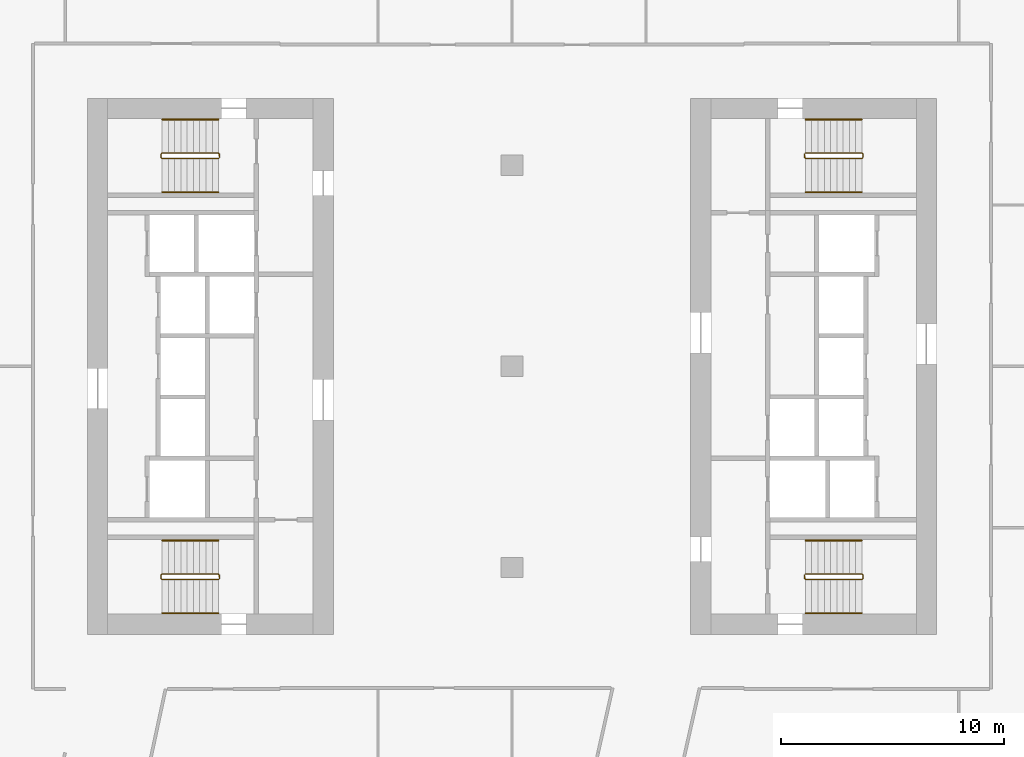
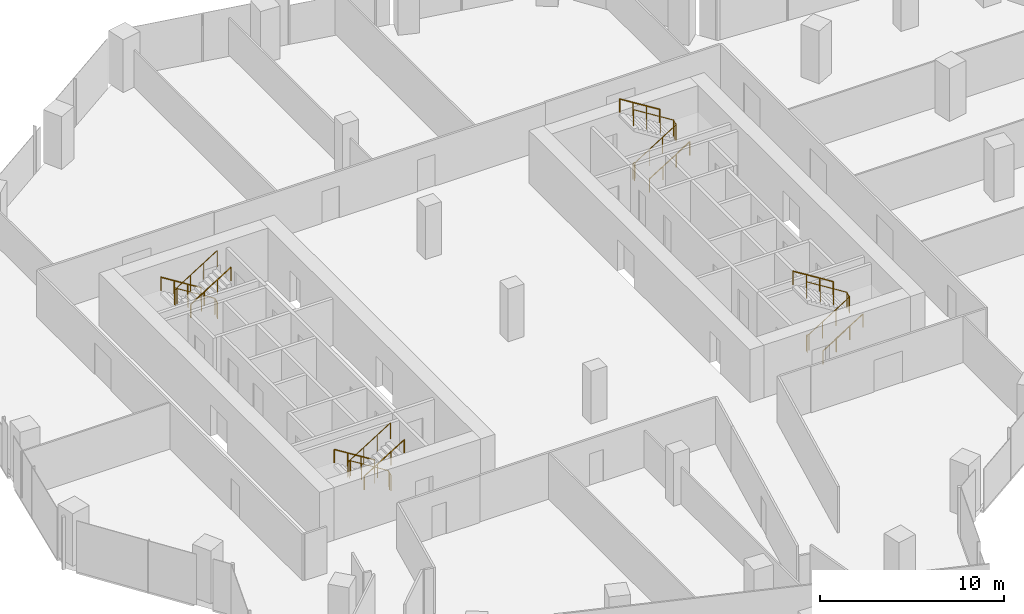
# One storey, part 25 of 25: 12 railings.
"""IFC4 building model written with IfcOpenShell, lengths in metres."""

from ifc_helpers import new_model, si_unit, direction, frame, origin, origin_2d, place, context, subcontext, project, spatial, circle, extrude, material, type_object, element, save


model = new_model("IFC4")

# Units and contexts
model_context = context("Model", 3, precision=1e-05, world=origin(), true_north=direction((0.0, 1.0)))
body_context = subcontext(model_context, "Body", "Model", "MODEL_VIEW")
ifc_project = project(units=[si_unit("LENGTHUNIT", "METRE"), si_unit("AREAUNIT", "SQUARE_METRE"), si_unit("VOLUMEUNIT", "CUBIC_METRE"), si_unit("PLANEANGLEUNIT", "RADIAN"), si_unit("MASSUNIT", "GRAM", prefix="KILO")], contexts=[model_context])

# Site, building, storey
site_placement = place(None, origin())
site = spatial("IfcSite", under=ifc_project, at=site_placement, CompositionType="ELEMENT")
building_placement = place(site_placement, origin())
building = spatial("IfcBuilding", under=site, at=building_placement, Name="Orlundy Tower", CompositionType="ELEMENT")
storey_placement = place(building_placement, frame((0.0, 0.0, 159.60009765625)))
storey = spatial("IfcBuildingStorey", under=building, at=storey_placement, Name="L41", CompositionType="ELEMENT", Elevation=159.60009765625)

# Railings
ifc_material_1 = material(Name="Steel balustrade", Category="steel")
railing_type_1 = type_object("IfcRailingType", Name="Stair Guard 1100", PredefinedType="GUARDRAIL", material=ifc_material_1)
railing_1_placement = place(storey_placement, frame((-13.090087890625, 9.5, 0.0)))
element("IfcRailing", 1, at=railing_1_placement, inside=storey, type_object=railing_type_1, Name="L41 ST-W1 stair guard 1", PredefinedType="GUARDRAIL", context=body_context, shape_type="SweptSolid", body=[
    extrude(circle(Radius=0.02392578125, at=origin_2d()), frame((0.0, 0.0, 1.076171875), z_axis=(0.0, -1.0, 0.0), x_axis=(1.0, 0.0, 0.0)), (0.0, 0.0, 1.0), 0.14990234375),
    extrude(circle(Radius=0.02392578125, at=origin_2d()), frame((0.0, -0.14990234375, 1.076171875), z_axis=(-0.184313129624, 0.739963005698, 0.646902945152), x_axis=(-0.970351222016, -0.241699205484, 0.0)), (0.0, 0.0, 1.0), 0.270263671875),
    extrude(circle(Radius=0.02392578125, at=origin_2d()), frame((-0.0498046875, 0.050048828125, 1.2509765625), z_axis=(-0.847970611238, 0.0, 0.530043245855), x_axis=(0.0, -1.0, 0.0)), (0.0, 0.0, 1.0), 2.971923828125),
    extrude(circle(Radius=0.02392578125, at=origin_2d()), frame((-2.56982421875, 0.050048828125, 2.826171875), z_axis=(-0.707106781187, -0.707106781187, 0.0), x_axis=(0.707106781187, -0.707106781187, 0.0)), (0.0, 0.0, 1.0), 0.07080078125),
    extrude(circle(Radius=0.02392578125, at=origin_2d()), frame((-2.619873046875, 0.0, 2.826171875), z_axis=(0.0, -1.0, 0.0), x_axis=(1.0, 0.0, 0.0)), (0.0, 0.0, 1.0), 0.14990234375),
    extrude(circle(Radius=0.02392578125, at=origin_2d()), frame((-2.619873046875, -0.14990234375, 2.826171875), z_axis=(0.265383341853, -0.265383341853, 0.926899867156), x_axis=(0.707106781187, 0.707106781187, 0.0)), (0.0, 0.0, 1.0), 0.1884765625),
    extrude(circle(Radius=0.02392578125, at=origin_2d()), frame((-2.56982421875, -0.199951171875, 3.0009765625), z_axis=(0.847970611238, 0.0, 0.530043245855), x_axis=(0.0, 1.0, 0.0)), (0.0, 0.0, 1.0), 2.971923828125),
    extrude(circle(Radius=0.02099609375, at=origin_2d()), origin(), (0.0, 0.0, 1.0), 1.052001953125),
    extrude(circle(Radius=0.02099609375, at=origin_2d()), frame((0.0, -0.14990234375, 0.0)), (0.0, 0.0, 1.0), 1.052001953125),
    extrude(circle(Radius=0.02099609375, at=origin_2d()), frame((-0.0498046875, 0.050048828125, 0.1748046875)), (0.0, 0.0, 1.0), 1.052001953125),
    extrude(circle(Radius=0.02099609375, at=origin_2d()), frame((-0.889892578125, 0.050048828125, 0.699951171875)), (0.0, 0.0, 1.0), 1.052001953125),
    extrude(circle(Radius=0.02099609375, at=origin_2d()), frame((-1.729736328125, 0.050048828125, 1.224853515625)), (0.0, 0.0, 1.0), 1.052001953125),
    extrude(circle(Radius=0.02099609375, at=origin_2d()), frame((-2.56982421875, 0.050048828125, 1.75)), (0.0, 0.0, 1.0), 1.052001953125),
    extrude(circle(Radius=0.02099609375, at=origin_2d()), frame((-2.619873046875, 0.0, 1.75)), (0.0, 0.0, 1.0), 1.052001953125),
    extrude(circle(Radius=0.02099609375, at=origin_2d()), frame((-2.619873046875, -0.14990234375, 1.75)), (0.0, 0.0, 1.0), 1.052001953125),
    extrude(circle(Radius=0.02099609375, at=origin_2d()), frame((-2.56982421875, -0.199951171875, 1.9248046875)), (0.0, 0.0, 1.0), 1.052001953125),
    extrude(circle(Radius=0.02099609375, at=origin_2d()), frame((-1.729736328125, -0.199951171875, 2.449951171875)), (0.0, 0.0, 1.0), 1.052001953125),
    extrude(circle(Radius=0.02099609375, at=origin_2d()), frame((-0.889892578125, -0.199951171875, 2.974853515625)), (0.0, 0.0, 1.0), 1.052001953125),
    extrude(circle(Radius=0.02099609375, at=origin_2d()), frame((-0.0498046875, -0.199951171875, 3.5)), (0.0, 0.0, 1.0), 1.052001953125),
])
railing_2_placement = place(storey_placement, frame((-13.090087890625, -9.35009765625, 0.0)))
element("IfcRailing", 2, at=railing_2_placement, inside=storey, type_object=railing_type_1, Name="L41 ST-W2 stair guard 1", PredefinedType="GUARDRAIL", context=body_context, shape_type="SweptSolid", body=[
    extrude(circle(Radius=0.02392578125, at=origin_2d()), frame((0.0, 0.0, 1.076171875), z_axis=(0.0, -1.0, 0.0), x_axis=(1.0, 0.0, 0.0)), (0.0, 0.0, 1.0), 0.14990234375),
    extrude(circle(Radius=0.02392578125, at=origin_2d()), frame((0.0, -0.14990234375, 1.076171875), z_axis=(-0.184313129624, 0.739963005698, 0.646902945152), x_axis=(-0.970351222016, -0.241699205484, 0.0)), (0.0, 0.0, 1.0), 0.270263671875),
    extrude(circle(Radius=0.02392578125, at=origin_2d()), frame((-0.0498046875, 0.050048828125, 1.2509765625), z_axis=(-0.847970611238, 0.0, 0.530043245855), x_axis=(0.0, -1.0, 0.0)), (0.0, 0.0, 1.0), 2.971923828125),
    extrude(circle(Radius=0.02392578125, at=origin_2d()), frame((-2.56982421875, 0.050048828125, 2.826171875), z_axis=(-0.707106781187, -0.707106781187, 0.0), x_axis=(0.707106781187, -0.707106781187, 0.0)), (0.0, 0.0, 1.0), 0.07080078125),
    extrude(circle(Radius=0.02392578125, at=origin_2d()), frame((-2.619873046875, 0.0, 2.826171875), z_axis=(0.0, -1.0, 0.0), x_axis=(1.0, 0.0, 0.0)), (0.0, 0.0, 1.0), 0.14990234375),
    extrude(circle(Radius=0.02392578125, at=origin_2d()), frame((-2.619873046875, -0.14990234375, 2.826171875), z_axis=(0.265383341853, -0.265383341853, 0.926899867156), x_axis=(0.707106781187, 0.707106781187, 0.0)), (0.0, 0.0, 1.0), 0.1884765625),
    extrude(circle(Radius=0.02392578125, at=origin_2d()), frame((-2.56982421875, -0.199951171875, 3.0009765625), z_axis=(0.847970611238, 0.0, 0.530043245855), x_axis=(0.0, 1.0, 0.0)), (0.0, 0.0, 1.0), 2.971923828125),
    extrude(circle(Radius=0.02099609375, at=origin_2d()), origin(), (0.0, 0.0, 1.0), 1.052001953125),
    extrude(circle(Radius=0.02099609375, at=origin_2d()), frame((0.0, -0.14990234375, 0.0)), (0.0, 0.0, 1.0), 1.052001953125),
    extrude(circle(Radius=0.02099609375, at=origin_2d()), frame((-0.0498046875, 0.050048828125, 0.1748046875)), (0.0, 0.0, 1.0), 1.052001953125),
    extrude(circle(Radius=0.02099609375, at=origin_2d()), frame((-0.889892578125, 0.050048828125, 0.699951171875)), (0.0, 0.0, 1.0), 1.052001953125),
    extrude(circle(Radius=0.02099609375, at=origin_2d()), frame((-1.729736328125, 0.050048828125, 1.224853515625)), (0.0, 0.0, 1.0), 1.052001953125),
    extrude(circle(Radius=0.02099609375, at=origin_2d()), frame((-2.56982421875, 0.050048828125, 1.75)), (0.0, 0.0, 1.0), 1.052001953125),
    extrude(circle(Radius=0.02099609375, at=origin_2d()), frame((-2.619873046875, 0.0, 1.75)), (0.0, 0.0, 1.0), 1.052001953125),
    extrude(circle(Radius=0.02099609375, at=origin_2d()), frame((-2.619873046875, -0.14990234375, 1.75)), (0.0, 0.0, 1.0), 1.052001953125),
    extrude(circle(Radius=0.02099609375, at=origin_2d()), frame((-2.56982421875, -0.199951171875, 1.9248046875)), (0.0, 0.0, 1.0), 1.052001953125),
    extrude(circle(Radius=0.02099609375, at=origin_2d()), frame((-1.729736328125, -0.199951171875, 2.449951171875)), (0.0, 0.0, 1.0), 1.052001953125),
    extrude(circle(Radius=0.02099609375, at=origin_2d()), frame((-0.889892578125, -0.199951171875, 2.974853515625)), (0.0, 0.0, 1.0), 1.052001953125),
    extrude(circle(Radius=0.02099609375, at=origin_2d()), frame((-0.0498046875, -0.199951171875, 3.5)), (0.0, 0.0, 1.0), 1.052001953125),
])
railing_3_placement = place(storey_placement, frame((13.090087890625, -9.5, 0.0)))
element("IfcRailing", 3, at=railing_3_placement, inside=storey, type_object=railing_type_1, Name="L41 ST-E1 stair guard 1", PredefinedType="GUARDRAIL", context=body_context, shape_type="SweptSolid", body=[
    extrude(circle(Radius=0.02392578125, at=origin_2d()), frame((0.0, 0.0, 1.076171875), z_axis=(0.0, 1.0, 0.0), x_axis=(-1.0, 0.0, 0.0)), (0.0, 0.0, 1.0), 0.14990234375),
    extrude(circle(Radius=0.02392578125, at=origin_2d()), frame((0.0, 0.14990234375, 1.076171875), z_axis=(0.184313129624, -0.739963005698, 0.646902945152), x_axis=(0.970351222016, 0.241699205484, 0.0)), (0.0, 0.0, 1.0), 0.270263671875),
    extrude(circle(Radius=0.02392578125, at=origin_2d()), frame((0.0498046875, -0.050048828125, 1.2509765625), z_axis=(0.847970611238, 0.0, 0.530043245855), x_axis=(0.0, 1.0, 0.0)), (0.0, 0.0, 1.0), 2.971923828125),
    extrude(circle(Radius=0.02392578125, at=origin_2d()), frame((2.56982421875, -0.050048828125, 2.826171875), z_axis=(0.707106781187, 0.707106781187, 0.0), x_axis=(-0.707106781187, 0.707106781187, 0.0)), (0.0, 0.0, 1.0), 0.07080078125),
    extrude(circle(Radius=0.02392578125, at=origin_2d()), frame((2.619873046875, 0.0, 2.826171875), z_axis=(0.0, 1.0, 0.0), x_axis=(-1.0, 0.0, 0.0)), (0.0, 0.0, 1.0), 0.14990234375),
    extrude(circle(Radius=0.02392578125, at=origin_2d()), frame((2.619873046875, 0.14990234375, 2.826171875), z_axis=(-0.265383341853, 0.265383341853, 0.926899867156), x_axis=(-0.707106781187, -0.707106781187, 0.0)), (0.0, 0.0, 1.0), 0.1884765625),
    extrude(circle(Radius=0.02392578125, at=origin_2d()), frame((2.56982421875, 0.199951171875, 3.0009765625), z_axis=(-0.847970611238, 0.0, 0.530043245855), x_axis=(0.0, -1.0, 0.0)), (0.0, 0.0, 1.0), 2.971923828125),
    extrude(circle(Radius=0.02099609375, at=origin_2d()), origin(), (0.0, 0.0, 1.0), 1.052001953125),
    extrude(circle(Radius=0.02099609375, at=origin_2d()), frame((0.0, 0.14990234375, 0.0)), (0.0, 0.0, 1.0), 1.052001953125),
    extrude(circle(Radius=0.02099609375, at=origin_2d()), frame((0.0498046875, -0.050048828125, 0.1748046875)), (0.0, 0.0, 1.0), 1.052001953125),
    extrude(circle(Radius=0.02099609375, at=origin_2d()), frame((0.889892578125, -0.050048828125, 0.699951171875)), (0.0, 0.0, 1.0), 1.052001953125),
    extrude(circle(Radius=0.02099609375, at=origin_2d()), frame((1.729736328125, -0.050048828125, 1.224853515625)), (0.0, 0.0, 1.0), 1.052001953125),
    extrude(circle(Radius=0.02099609375, at=origin_2d()), frame((2.56982421875, -0.050048828125, 1.75)), (0.0, 0.0, 1.0), 1.052001953125),
    extrude(circle(Radius=0.02099609375, at=origin_2d()), frame((2.619873046875, 0.0, 1.75)), (0.0, 0.0, 1.0), 1.052001953125),
    extrude(circle(Radius=0.02099609375, at=origin_2d()), frame((2.619873046875, 0.14990234375, 1.75)), (0.0, 0.0, 1.0), 1.052001953125),
    extrude(circle(Radius=0.02099609375, at=origin_2d()), frame((2.56982421875, 0.199951171875, 1.9248046875)), (0.0, 0.0, 1.0), 1.052001953125),
    extrude(circle(Radius=0.02099609375, at=origin_2d()), frame((1.729736328125, 0.199951171875, 2.449951171875)), (0.0, 0.0, 1.0), 1.052001953125),
    extrude(circle(Radius=0.02099609375, at=origin_2d()), frame((0.889892578125, 0.199951171875, 2.974853515625)), (0.0, 0.0, 1.0), 1.052001953125),
    extrude(circle(Radius=0.02099609375, at=origin_2d()), frame((0.0498046875, 0.199951171875, 3.5)), (0.0, 0.0, 1.0), 1.052001953125),
])
railing_4_placement = place(storey_placement, frame((13.090087890625, 9.35009765625, 0.0)))
element("IfcRailing", 4, at=railing_4_placement, inside=storey, type_object=railing_type_1, Name="L41 ST-E2 stair guard 1", PredefinedType="GUARDRAIL", context=body_context, shape_type="SweptSolid", body=[
    extrude(circle(Radius=0.02392578125, at=origin_2d()), frame((0.0, 0.0, 1.076171875), z_axis=(0.0, 1.0, 0.0), x_axis=(-1.0, 0.0, 0.0)), (0.0, 0.0, 1.0), 0.14990234375),
    extrude(circle(Radius=0.02392578125, at=origin_2d()), frame((0.0, 0.14990234375, 1.076171875), z_axis=(0.184313129624, -0.739963005698, 0.646902945152), x_axis=(0.970351222016, 0.241699205484, 0.0)), (0.0, 0.0, 1.0), 0.270263671875),
    extrude(circle(Radius=0.02392578125, at=origin_2d()), frame((0.0498046875, -0.050048828125, 1.2509765625), z_axis=(0.847970611238, 0.0, 0.530043245855), x_axis=(0.0, 1.0, 0.0)), (0.0, 0.0, 1.0), 2.971923828125),
    extrude(circle(Radius=0.02392578125, at=origin_2d()), frame((2.56982421875, -0.050048828125, 2.826171875), z_axis=(0.707106781187, 0.707106781187, 0.0), x_axis=(-0.707106781187, 0.707106781187, 0.0)), (0.0, 0.0, 1.0), 0.07080078125),
    extrude(circle(Radius=0.02392578125, at=origin_2d()), frame((2.619873046875, 0.0, 2.826171875), z_axis=(0.0, 1.0, 0.0), x_axis=(-1.0, 0.0, 0.0)), (0.0, 0.0, 1.0), 0.14990234375),
    extrude(circle(Radius=0.02392578125, at=origin_2d()), frame((2.619873046875, 0.14990234375, 2.826171875), z_axis=(-0.265383341853, 0.265383341853, 0.926899867156), x_axis=(-0.707106781187, -0.707106781187, 0.0)), (0.0, 0.0, 1.0), 0.1884765625),
    extrude(circle(Radius=0.02392578125, at=origin_2d()), frame((2.56982421875, 0.199951171875, 3.0009765625), z_axis=(-0.847970611238, 0.0, 0.530043245855), x_axis=(0.0, -1.0, 0.0)), (0.0, 0.0, 1.0), 2.971923828125),
    extrude(circle(Radius=0.02099609375, at=origin_2d()), origin(), (0.0, 0.0, 1.0), 1.052001953125),
    extrude(circle(Radius=0.02099609375, at=origin_2d()), frame((0.0, 0.14990234375, 0.0)), (0.0, 0.0, 1.0), 1.052001953125),
    extrude(circle(Radius=0.02099609375, at=origin_2d()), frame((0.0498046875, -0.050048828125, 0.1748046875)), (0.0, 0.0, 1.0), 1.052001953125),
    extrude(circle(Radius=0.02099609375, at=origin_2d()), frame((0.889892578125, -0.050048828125, 0.699951171875)), (0.0, 0.0, 1.0), 1.052001953125),
    extrude(circle(Radius=0.02099609375, at=origin_2d()), frame((1.729736328125, -0.050048828125, 1.224853515625)), (0.0, 0.0, 1.0), 1.052001953125),
    extrude(circle(Radius=0.02099609375, at=origin_2d()), frame((2.56982421875, -0.050048828125, 1.75)), (0.0, 0.0, 1.0), 1.052001953125),
    extrude(circle(Radius=0.02099609375, at=origin_2d()), frame((2.619873046875, 0.0, 1.75)), (0.0, 0.0, 1.0), 1.052001953125),
    extrude(circle(Radius=0.02099609375, at=origin_2d()), frame((2.619873046875, 0.14990234375, 1.75)), (0.0, 0.0, 1.0), 1.052001953125),
    extrude(circle(Radius=0.02099609375, at=origin_2d()), frame((2.56982421875, 0.199951171875, 1.9248046875)), (0.0, 0.0, 1.0), 1.052001953125),
    extrude(circle(Radius=0.02099609375, at=origin_2d()), frame((1.729736328125, 0.199951171875, 2.449951171875)), (0.0, 0.0, 1.0), 1.052001953125),
    extrude(circle(Radius=0.02099609375, at=origin_2d()), frame((0.889892578125, 0.199951171875, 2.974853515625)), (0.0, 0.0, 1.0), 1.052001953125),
    extrude(circle(Radius=0.02099609375, at=origin_2d()), frame((0.0498046875, 0.199951171875, 3.5)), (0.0, 0.0, 1.0), 1.052001953125),
])
ifc_material_2 = material(Name="Steel handrail", Category="steel")
railing_type_2 = type_object("IfcRailingType", Name="Stair Handrail 900", PredefinedType="HANDRAIL", material=ifc_material_2)
railing_5_placement = place(storey_placement, frame((-13.139892578125, 11.050048828125, 0.1748046875)))
element("IfcRailing", 5, at=railing_5_placement, inside=storey, type_object=railing_type_2, Name="L41 ST-W1 stair handrail 1", PredefinedType="HANDRAIL", context=body_context, shape_type="SweptSolid", body=[
    extrude(circle(Radius=0.02392578125, at=origin_2d()), frame((0.0, 0.0, 0.8759765625), z_axis=(-0.847970611238, 0.0, 0.530043245855), x_axis=(0.0, -1.0, 0.0)), (0.0, 0.0, 1.0), 2.971923828125),
    extrude(circle(Radius=0.02099609375, at=origin_2d()), origin(), (0.0, 0.0, 1.0), 0.851806640625),
    extrude(circle(Radius=0.02099609375, at=origin_2d()), frame((-0.840087890625, 0.0, 0.525146484375)), (0.0, 0.0, 1.0), 0.851806640625),
    extrude(circle(Radius=0.02099609375, at=origin_2d()), frame((-1.679931640625, 0.0, 1.050048828125)), (0.0, 0.0, 1.0), 0.851806640625),
    extrude(circle(Radius=0.02099609375, at=origin_2d()), frame((-2.52001953125, 0.0, 1.5751953125)), (0.0, 0.0, 1.0), 0.851806640625),
])
railing_6_placement = place(storey_placement, frame((-15.659912109375, 7.800048828125, 1.9248046875)))
element("IfcRailing", 6, at=railing_6_placement, inside=storey, type_object=railing_type_2, Name="L41 ST-W1 stair handrail 2", PredefinedType="HANDRAIL", context=body_context, shape_type="SweptSolid", body=[
    extrude(circle(Radius=0.02392578125, at=origin_2d()), frame((0.0, 0.0, 0.8759765625), z_axis=(0.847970611238, 0.0, 0.530043245855), x_axis=(0.0, 1.0, 0.0)), (0.0, 0.0, 1.0), 2.971923828125),
    extrude(circle(Radius=0.02099609375, at=origin_2d()), origin(), (0.0, 0.0, 1.0), 0.851806640625),
    extrude(circle(Radius=0.02099609375, at=origin_2d()), frame((0.840087890625, 0.0, 0.525146484375)), (0.0, 0.0, 1.0), 0.851806640625),
    extrude(circle(Radius=0.02099609375, at=origin_2d()), frame((1.679931640625, 0.0, 1.050048828125)), (0.0, 0.0, 1.0), 0.851806640625),
    extrude(circle(Radius=0.02099609375, at=origin_2d()), frame((2.52001953125, 0.0, 1.5751953125)), (0.0, 0.0, 1.0), 0.851806640625),
])
railing_7_placement = place(storey_placement, frame((-13.139892578125, -7.800048828125, 0.1748046875)))
element("IfcRailing", 7, at=railing_7_placement, inside=storey, type_object=railing_type_2, Name="L41 ST-W2 stair handrail 1", PredefinedType="HANDRAIL", context=body_context, shape_type="SweptSolid", body=[
    extrude(circle(Radius=0.02392578125, at=origin_2d()), frame((0.0, 0.0, 0.8759765625), z_axis=(-0.847970611238, 0.0, 0.530043245855), x_axis=(0.0, -1.0, 0.0)), (0.0, 0.0, 1.0), 2.971923828125),
    extrude(circle(Radius=0.02099609375, at=origin_2d()), origin(), (0.0, 0.0, 1.0), 0.851806640625),
    extrude(circle(Radius=0.02099609375, at=origin_2d()), frame((-0.840087890625, 0.0, 0.525146484375)), (0.0, 0.0, 1.0), 0.851806640625),
    extrude(circle(Radius=0.02099609375, at=origin_2d()), frame((-1.679931640625, 0.0, 1.050048828125)), (0.0, 0.0, 1.0), 0.851806640625),
    extrude(circle(Radius=0.02099609375, at=origin_2d()), frame((-2.52001953125, 0.0, 1.5751953125)), (0.0, 0.0, 1.0), 0.851806640625),
])
for number, where, name in (
    (8, (-15.659912109375, -11.050048828125, 1.9248046875), "L41 ST-W2 stair handrail 2"),
    (9, (13.139892578125, -11.050048828125, 0.1748046875), "L41 ST-E1 stair handrail 1"),
):
    element("IfcRailing", number, at=place(storey_placement, frame(where)), inside=storey, type_object=railing_type_2, Name=name, PredefinedType="HANDRAIL", context=body_context, shape_type="SweptSolid", body=[
        extrude(circle(Radius=0.02392578125, at=origin_2d()), frame((0.0, 0.0, 0.8759765625), z_axis=(0.847970611238, 0.0, 0.530043245855), x_axis=(0.0, 1.0, 0.0)), (0.0, 0.0, 1.0), 2.971923828125),
        extrude(circle(Radius=0.02099609375, at=origin_2d()), origin(), (0.0, 0.0, 1.0), 0.851806640625),
        extrude(circle(Radius=0.02099609375, at=origin_2d()), frame((0.840087890625, 0.0, 0.525146484375)), (0.0, 0.0, 1.0), 0.851806640625),
        extrude(circle(Radius=0.02099609375, at=origin_2d()), frame((1.679931640625, 0.0, 1.050048828125)), (0.0, 0.0, 1.0), 0.851806640625),
        extrude(circle(Radius=0.02099609375, at=origin_2d()), frame((2.52001953125, 0.0, 1.5751953125)), (0.0, 0.0, 1.0), 0.851806640625),
    ])
railing_8_placement = place(storey_placement, frame((15.659912109375, -7.800048828125, 1.9248046875)))
element("IfcRailing", 10, at=railing_8_placement, inside=storey, type_object=railing_type_2, Name="L41 ST-E1 stair handrail 2", PredefinedType="HANDRAIL", context=body_context, shape_type="SweptSolid", body=[
    extrude(circle(Radius=0.02392578125, at=origin_2d()), frame((0.0, 0.0, 0.8759765625), z_axis=(-0.847970611238, 0.0, 0.530043245855), x_axis=(0.0, -1.0, 0.0)), (0.0, 0.0, 1.0), 2.971923828125),
    extrude(circle(Radius=0.02099609375, at=origin_2d()), origin(), (0.0, 0.0, 1.0), 0.851806640625),
    extrude(circle(Radius=0.02099609375, at=origin_2d()), frame((-0.840087890625, 0.0, 0.525146484375)), (0.0, 0.0, 1.0), 0.851806640625),
    extrude(circle(Radius=0.02099609375, at=origin_2d()), frame((-1.679931640625, 0.0, 1.050048828125)), (0.0, 0.0, 1.0), 0.851806640625),
    extrude(circle(Radius=0.02099609375, at=origin_2d()), frame((-2.52001953125, 0.0, 1.5751953125)), (0.0, 0.0, 1.0), 0.851806640625),
])
railing_9_placement = place(storey_placement, frame((13.139892578125, 7.800048828125, 0.1748046875)))
element("IfcRailing", 11, at=railing_9_placement, inside=storey, type_object=railing_type_2, Name="L41 ST-E2 stair handrail 1", PredefinedType="HANDRAIL", context=body_context, shape_type="SweptSolid", body=[
    extrude(circle(Radius=0.02392578125, at=origin_2d()), frame((0.0, 0.0, 0.8759765625), z_axis=(0.847970611238, 0.0, 0.530043245855), x_axis=(0.0, 1.0, 0.0)), (0.0, 0.0, 1.0), 2.971923828125),
    extrude(circle(Radius=0.02099609375, at=origin_2d()), origin(), (0.0, 0.0, 1.0), 0.851806640625),
    extrude(circle(Radius=0.02099609375, at=origin_2d()), frame((0.840087890625, 0.0, 0.525146484375)), (0.0, 0.0, 1.0), 0.851806640625),
    extrude(circle(Radius=0.02099609375, at=origin_2d()), frame((1.679931640625, 0.0, 1.050048828125)), (0.0, 0.0, 1.0), 0.851806640625),
    extrude(circle(Radius=0.02099609375, at=origin_2d()), frame((2.52001953125, 0.0, 1.5751953125)), (0.0, 0.0, 1.0), 0.851806640625),
])
railing_10_placement = place(storey_placement, frame((15.659912109375, 11.050048828125, 1.9248046875)))
element("IfcRailing", 12, at=railing_10_placement, inside=storey, type_object=railing_type_2, Name="L41 ST-E2 stair handrail 2", PredefinedType="HANDRAIL", context=body_context, shape_type="SweptSolid", body=[
    extrude(circle(Radius=0.02392578125, at=origin_2d()), frame((0.0, 0.0, 0.8759765625), z_axis=(-0.847970611238, 0.0, 0.530043245855), x_axis=(0.0, -1.0, 0.0)), (0.0, 0.0, 1.0), 2.971923828125),
    extrude(circle(Radius=0.02099609375, at=origin_2d()), origin(), (0.0, 0.0, 1.0), 0.851806640625),
    extrude(circle(Radius=0.02099609375, at=origin_2d()), frame((-0.840087890625, 0.0, 0.525146484375)), (0.0, 0.0, 1.0), 0.851806640625),
    extrude(circle(Radius=0.02099609375, at=origin_2d()), frame((-1.679931640625, 0.0, 1.050048828125)), (0.0, 0.0, 1.0), 0.851806640625),
    extrude(circle(Radius=0.02099609375, at=origin_2d()), frame((-2.52001953125, 0.0, 1.5751953125)), (0.0, 0.0, 1.0), 0.851806640625),
])

save(model, "model.ifc")
